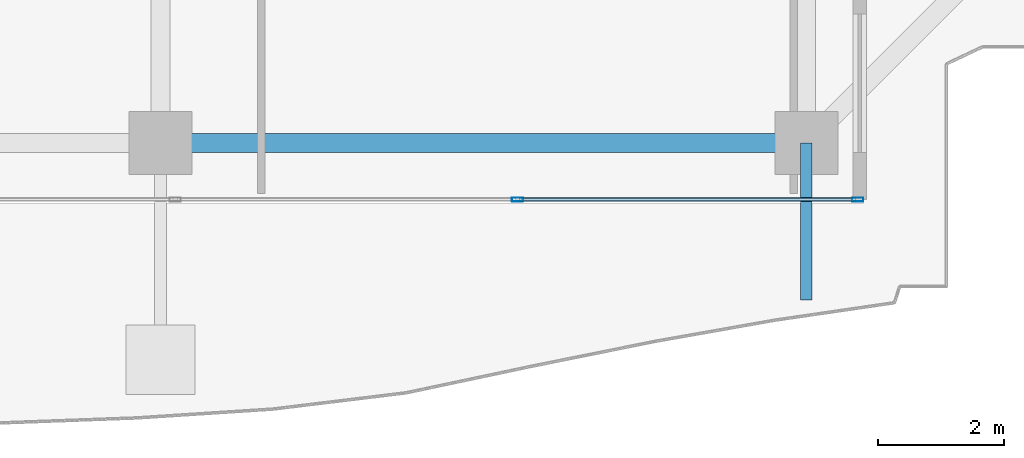
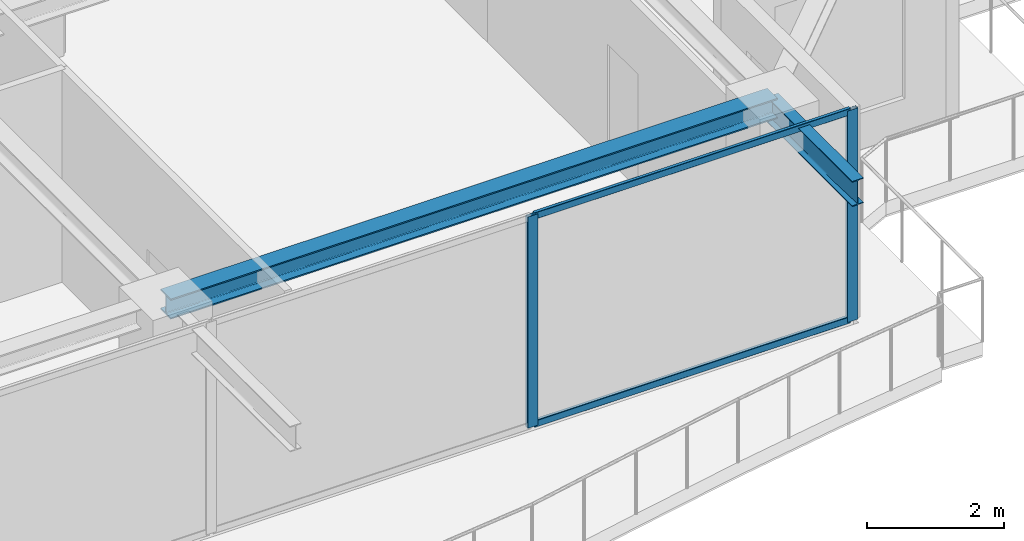
# One storey, part 10 of 37: 4 members, 2 beams, 1 element without a shape of its own.
"""IFC4 building model written with IfcOpenShell, lengths in metres."""

from ifc_helpers import new_model, si_unit, direction, frame, origin, origin_2d, place, context, subcontext, project, spatial, hollow_rectangle, i_section, extrude, source, transform, mapped, material, layer, layer_set, material_profile, profile_set, type_object, element, aggregate, save


model = new_model("IFC4")

# Units and contexts
model_context = context("Model", 3, precision=1e-05, world=origin(), true_north=direction((0.0, 1.0)))
body_context = subcontext(model_context, "Body", "Model", "MODEL_VIEW")
ifc_project = project(units=[si_unit("LENGTHUNIT", "METRE"), si_unit("AREAUNIT", "SQUARE_METRE"), si_unit("VOLUMEUNIT", "CUBIC_METRE"), si_unit("PLANEANGLEUNIT", "RADIAN"), si_unit("MASSUNIT", "GRAM", prefix="KILO")], contexts=[model_context])

# Site, building, storey
site_placement = place(None, origin())
site = spatial("IfcSite", under=ifc_project, at=site_placement, CompositionType="ELEMENT")
building_placement = place(site_placement, origin())
building = spatial("IfcBuilding", under=site, at=building_placement, Name="Serunith Strait Residences", CompositionType="ELEMENT")
storey_placement = place(building_placement, frame((0.0, 0.0, 305.60009765625)))
storey = spatial("IfcBuildingStorey", under=building, at=storey_placement, Name="L76", CompositionType="ELEMENT", Elevation=305.60009765625)

# Beams
ifc_material_1 = material(Name="Steel S355J2", Category="steel")
ifc_material_profile_1 = material_profile(ifc_material_1, i_section(OverallWidth=0.300048828125, OverallDepth=0.360107421875, WebThickness=0.012451171875, FlangeThickness=0.0224609375, FilletRadius=0.027099609375, at=origin_2d()), Name="HEB 360")
ifc_profile_set_1 = profile_set([ifc_material_profile_1], Name="Steel S355J2")
beam_type_1 = type_object("IfcBeamType", Name="BM-HEB360", PredefinedType="BEAM", material=ifc_profile_set_1)
shared_shape_1 = source(origin(), body_context, "Body", "SweptSolid", [
    extrude(i_section(OverallWidth=0.300048828125, OverallDepth=0.360107421875, WebThickness=0.012451171875, FlangeThickness=0.0224609375, FilletRadius=0.027099609375, at=origin_2d()), origin(), (0.0, 0.0, 1.0), 10.25),
])
beam_1_placement = place(storey_placement, frame((36.89990234375, 3.300048828125, 3.60693359375), z_axis=(1.0, 0.0, 0.0), x_axis=(0.0, 1.0, 0.0)))
element("IfcBeam", 1, at=beam_1_placement, inside=storey, type_object=beam_type_1, Name="L76 Perimeter Ring Beam 03", PredefinedType="BEAM", context=body_context, shape_type="MappedRepresentation", body=[
    mapped(shared_shape_1, transform((0.0, 0.0, 0.0), scale=1.0)),
])
ifc_material_profile_2 = material_profile(ifc_material_1, i_section(OverallWidth=0.18994140625, OverallDepth=0.449951171875, WebThickness=0.009521484375, FlangeThickness=0.0146484375, FilletRadius=0.02099609375, at=origin_2d()), Name="IPE 450")
ifc_profile_set_2 = profile_set([ifc_material_profile_2], Name="Steel S355J2")
beam_type_2 = type_object("IfcBeamType", Name="BM-IPE450", PredefinedType="JOIST", material=ifc_profile_set_2)
shared_shape_2 = source(origin(), body_context, "Body", "SweptSolid", [
    extrude(i_section(OverallWidth=0.18994140625, OverallDepth=0.449951171875, WebThickness=0.009521484375, FlangeThickness=0.0146484375, FilletRadius=0.02099609375, at=origin_2d()), origin(), (0.0, 0.0, 1.0), 2.49658203125),
])
beam_2_placement = place(storey_placement, frame((47.14990234375, 3.300048828125, 3.531982421875), z_axis=(0.0, -1.0, 0.0), x_axis=(1.0, 0.0, 0.0)))
element("IfcBeam", 2, at=beam_2_placement, inside=storey, type_object=beam_type_2, Name="L77 Cantilevered Balcony Rib TC-S4", PredefinedType="JOIST", context=body_context, shape_type="MappedRepresentation", body=[
    mapped(shared_shape_2, transform((0.0, 0.0, 0.0), scale=1.0)),
])

# Curtain wall, members
ifc_material_2 = material(Name="Brushed Stainless-Silver Aluminium", Category="aluminium")
ifc_layer = layer(ifc_material_2, 0.199951171875, Name="Brushed Stainless-Silver Aluminium")
ifc_layer_set = layer_set([ifc_layer], Name="Brushed Stainless-Silver Aluminium")
curtain_wall_type = type_object("IfcCurtainWallType", Name="CW-SYS5", PredefinedType="NOTDEFINED", material=ifc_layer_set)
curtain_wall_placement = place(storey_placement, origin())
curtain_wall = element("IfcCurtainWall", 3, at=curtain_wall_placement, inside=storey, type_object=curtain_wall_type, Name="L76 S Unitised Fritted Curtain Wall", PredefinedType="NOTDEFINED")
ifc_material_profile_3 = material_profile(ifc_material_2, hollow_rectangle(XDim=0.06494140625, YDim=0.179931640625, WallThickness=0.00341796875, InnerFilletRadius=0.00537109375, OuterFilletRadius=0.0087890625, at=origin_2d()), Name="ALU 180x65x3.5")
ifc_profile_set_3 = profile_set([ifc_material_profile_3], Name="Brushed Stainless-Silver Aluminium")
member_type_1 = type_object("IfcMemberType", Name="CW-SYS5-MULL", PredefinedType="MULLION", material=ifc_profile_set_3)
shared_shape_3 = source(origin(), body_context, "Body", "SweptSolid", [
    extrude(hollow_rectangle(XDim=0.06494140625, YDim=0.179931640625, WallThickness=0.00341796875, InnerFilletRadius=0.00537109375, OuterFilletRadius=0.0087890625, at=origin_2d()), origin(), (0.0, 0.0, 1.0), 3.77490234375),
])
member_1_placement = place(storey_placement, frame((42.566650390625, 2.39990234375, 0.0), z_axis=(0.0, 0.0, 1.0), x_axis=(0.0, 1.0, 0.0)))
member_1 = element("IfcMember", 4, at=member_1_placement, type_object=member_type_1, Name="CW-5 mullion 3", PredefinedType="MULLION", context=body_context, shape_type="MappedRepresentation", body=[
    mapped(shared_shape_3, transform((0.0, 0.0, 0.0), scale=1.0)),
])
member_2_placement = place(storey_placement, frame((47.967529296875, 2.39990234375, 0.0), z_axis=(0.0, 0.0, 1.0), x_axis=(0.0, 1.0, 0.0)))
member_2 = element("IfcMember", 5, at=member_2_placement, type_object=member_type_1, Name="CW-5 mullion 4", PredefinedType="MULLION", context=body_context, shape_type="MappedRepresentation", body=[
    mapped(shared_shape_3, transform((0.0, 0.0, 0.0), scale=1.0)),
])
ifc_material_profile_4 = material_profile(ifc_material_2, hollow_rectangle(XDim=0.06005859375, YDim=0.1201171875, WallThickness=0.00341796875, InnerFilletRadius=0.00537109375, OuterFilletRadius=0.0087890625, at=origin_2d()), Name="ALU 120x60x3.5")
ifc_profile_set_4 = profile_set([ifc_material_profile_4], Name="Brushed Stainless-Silver Aluminium")
member_type_2 = type_object("IfcMemberType", Name="CW-SYS5-TRAN", PredefinedType="USERDEFINED", material=ifc_profile_set_4)
shared_shape_4 = source(origin(), body_context, "Body", "SweptSolid", [
    extrude(hollow_rectangle(XDim=0.06005859375, YDim=0.1201171875, WallThickness=0.00341796875, InnerFilletRadius=0.00537109375, OuterFilletRadius=0.0087890625, at=origin_2d()), origin(), (0.0, 0.0, 1.0), 5.3359375),
])
member_3_placement = place(storey_placement, frame((42.59912109375, 2.39990234375, 0.02978515625), z_axis=(1.0, 0.0, 0.0), x_axis=(0.0, 1.0, 0.0)))
member_3 = element("IfcMember", 6, at=member_3_placement, type_object=member_type_2, Name="CW-5 transom 3.1", ObjectType="TRANSOM", PredefinedType="USERDEFINED", context=body_context, shape_type="MappedRepresentation", body=[
    mapped(shared_shape_4, transform((0.0, 0.0, 0.0), scale=1.0)),
])
member_4_placement = place(storey_placement, frame((42.59912109375, 2.39990234375, 3.744873046875), z_axis=(1.0, 0.0, 0.0), x_axis=(0.0, 1.0, 0.0)))
member_4 = element("IfcMember", 7, at=member_4_placement, type_object=member_type_2, Name="CW-5 transom 3.2", ObjectType="TRANSOM", PredefinedType="USERDEFINED", context=body_context, shape_type="MappedRepresentation", body=[
    mapped(shared_shape_4, transform((0.0, 0.0, 0.0), scale=1.0)),
])
aggregate(curtain_wall, [member_1, member_2, member_3, member_4])

save(model, "model.ifc")
